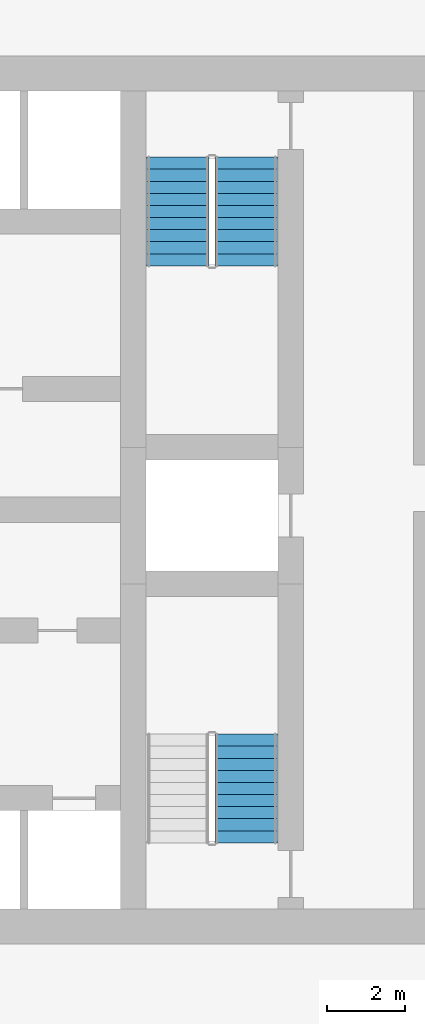
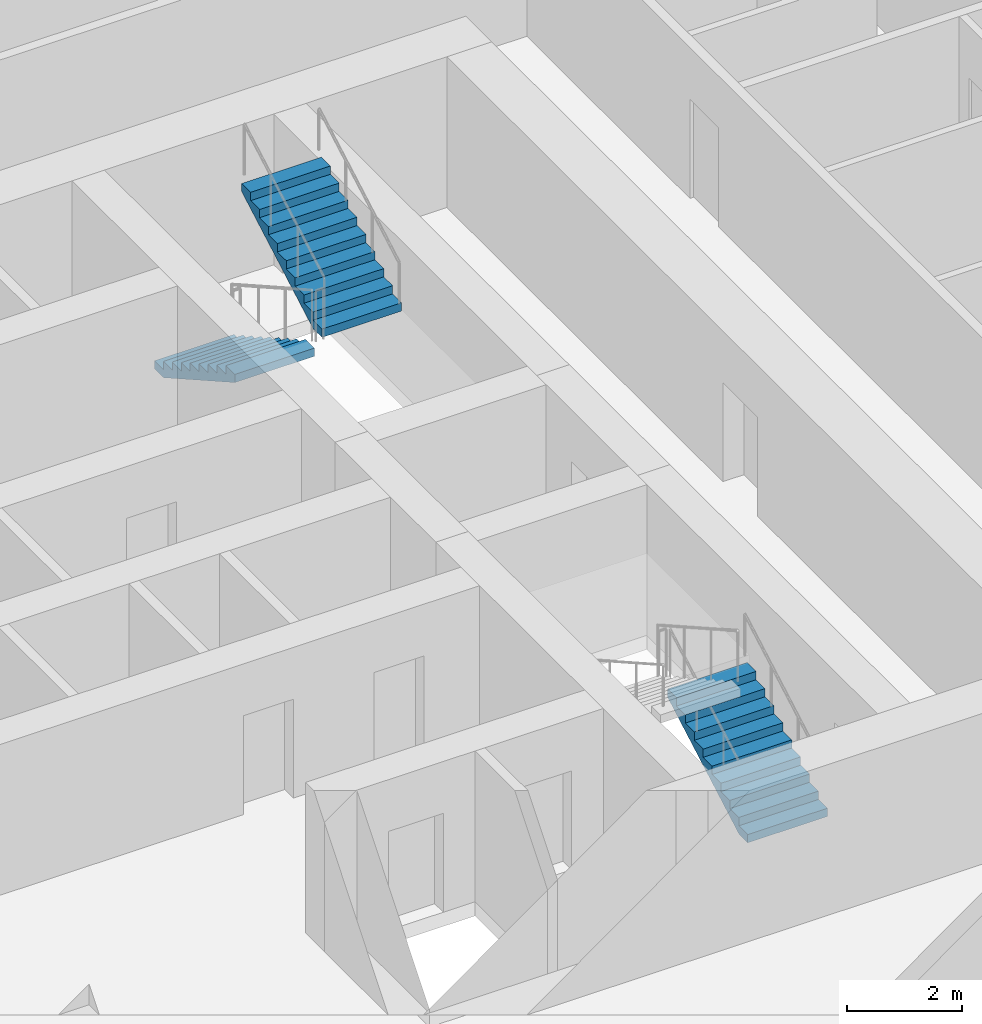
# One storey, part 16 of 22: 3 stair flights, 2 elements without a shape of their own.
"""IFC4 building model written with IfcOpenShell, lengths in metres."""

from ifc_helpers import new_model, si_unit, direction, frame, origin, place, context, subcontext, project, spatial, polyline, outline, extrude, material, type_object, element, aggregate, save


model = new_model("IFC4")

# Units and contexts
model_context = context("Model", 3, precision=1e-05, world=origin(), true_north=direction((0.0, 1.0)))
body_context = subcontext(model_context, "Body", "Model", "MODEL_VIEW")
ifc_project = project(units=[si_unit("LENGTHUNIT", "METRE"), si_unit("AREAUNIT", "SQUARE_METRE"), si_unit("VOLUMEUNIT", "CUBIC_METRE"), si_unit("PLANEANGLEUNIT", "RADIAN"), si_unit("MASSUNIT", "GRAM", prefix="KILO")], contexts=[model_context])

# Site, building, storey
site_placement = place(None, origin())
site = spatial("IfcSite", under=ifc_project, at=site_placement, CompositionType="ELEMENT")
building_placement = place(site_placement, origin())
building = spatial("IfcBuilding", under=site, at=building_placement, Name="Madar Terraces", CompositionType="ELEMENT")
storey_placement = place(building_placement, frame((0.0, 0.0, 76.800048828125)))
storey = spatial("IfcBuildingStorey", under=building, at=storey_placement, Name="L19", CompositionType="ELEMENT", Elevation=76.800048828125)

# Stair, stair flights
ifc_material_1 = material(Name="Concrete C50/60", Category="concrete")
stair_type_1 = type_object("IfcStairType", Name="Stair ST2 protected exit", PredefinedType="HALF_TURN_STAIR", material=ifc_material_1)
stair_1_placement = place(storey_placement, origin())
stair_1 = element("IfcStair", 1, at=stair_1_placement, inside=storey, type_object=stair_type_1, Name="L19 Protected Exit Stair ST2", PredefinedType="HALF_TURN_STAIR")
ifc_material_2 = material(Name="Concrete C50/60", Category="concrete")
stair_flight_type_1 = type_object("IfcStairFlightType", Name="Stair flight ST2-F4, 1600 wide, 10 risers", PredefinedType="STRAIGHT", material=ifc_material_2)
stair_flight_1_placement = place(storey_placement, frame((40.449951171875, 35.199951171875, 0.0), z_axis=(0.0, 0.0, 1.0), x_axis=(0.0, -1.0, 0.0)))
stair_flight_1 = element("IfcStairFlight", 2, at=stair_flight_1_placement, type_object=stair_flight_type_1, Name="ST2 flight 1", NumberOfRisers=10, NumberOfTreads=9, PredefinedType="STRAIGHT", RiserHeight=0.175, TreadLength=0.31, context=body_context, shape_type="SweptSolid", body=[
    extrude(outline(polyline([(0.0, 0.0), (0.0, 0.175048828125), (0.31005859375, 0.175048828125), (0.31005859375, 0.35009765625), (0.6201171875, 0.35009765625), (0.6201171875, 0.52490234375), (0.929931640625, 0.52490234375), (0.929931640625, 0.699951171875), (1.239990234375, 0.699951171875), (1.239990234375, 0.875), (1.550048828125, 0.875), (1.550048828125, 1.050048828125), (1.860107421875, 1.050048828125), (1.860107421875, 1.22509765625), (2.169921875, 1.22509765625), (2.169921875, 1.39990234375), (2.47998046875, 1.39990234375), (2.47998046875, 1.574951171875), (2.7900390625, 1.574951171875), (2.7900390625, 1.75), (2.7900390625, 1.40283203125), (0.304931640625, 0.0), (0.0, 0.0)])), frame((0.0, 0.800048828125, 0.0), z_axis=(0.0, -1.0, 0.0), x_axis=(1.0, 0.0, 0.0)), (0.0, 0.0, 1.0), 1.60009765625),
])
stair_flight_2_placement = place(storey_placement, frame((42.199951171875, 32.409912109375, 1.75), z_axis=(0.0, 0.0, 1.0), x_axis=(0.0, 1.0, 0.0)))
stair_flight_2 = element("IfcStairFlight", 3, at=stair_flight_2_placement, type_object=stair_flight_type_1, Name="ST2 flight 2", NumberOfRisers=10, NumberOfTreads=9, PredefinedType="STRAIGHT", RiserHeight=0.175, TreadLength=0.31, context=body_context, shape_type="SweptSolid", body=[
    extrude(outline(polyline([(0.0, 0.0), (0.0, 0.175048828125), (0.31005859375, 0.175048828125), (0.31005859375, 0.35009765625), (0.6201171875, 0.35009765625), (0.6201171875, 0.52490234375), (0.929931640625, 0.52490234375), (0.929931640625, 0.699951171875), (1.239990234375, 0.699951171875), (1.239990234375, 0.875), (1.550048828125, 0.875), (1.550048828125, 1.050048828125), (1.860107421875, 1.050048828125), (1.860107421875, 1.22509765625), (2.169921875, 1.22509765625), (2.169921875, 1.39990234375), (2.47998046875, 1.39990234375), (2.47998046875, 1.574951171875), (2.7900390625, 1.574951171875), (2.7900390625, 1.75), (2.7900390625, 1.40283203125), (0.304931640625, 0.0), (0.0, 0.0)])), frame((0.0, 0.800048828125, 0.0), z_axis=(0.0, -1.0, 0.0), x_axis=(1.0, 0.0, 0.0)), (0.0, 0.0, 1.0), 1.60009765625),
])
aggregate(stair_1, [stair_flight_1, stair_flight_2])

# Stair, stair flight
ifc_material_3 = material(Name="Concrete C50/60", Category="concrete")
stair_type_2 = type_object("IfcStairType", Name="Stair ST3 protected exit", PredefinedType="HALF_TURN_STAIR", material=ifc_material_3)
stair_2_placement = place(storey_placement, origin())
stair_2 = element("IfcStair", 4, at=stair_2_placement, inside=storey, type_object=stair_type_2, Name="L19 Protected Exit Stair ST3", PredefinedType="HALF_TURN_STAIR")
ifc_material_4 = material(Name="Concrete C50/60", Category="concrete")
stair_flight_type_2 = type_object("IfcStairFlightType", Name="Stair flight ST3-F4, 1600 wide, 10 risers", PredefinedType="STRAIGHT", material=ifc_material_4)
stair_flight_3_placement = place(storey_placement, frame((42.199951171875, 17.60009765625, 0.0), z_axis=(0.0, 0.0, 1.0), x_axis=(0.0, 1.0, 0.0)))
stair_flight_3 = element("IfcStairFlight", 5, at=stair_flight_3_placement, type_object=stair_flight_type_2, Name="ST3 flight 1", NumberOfRisers=10, NumberOfTreads=9, PredefinedType="STRAIGHT", RiserHeight=0.175, TreadLength=0.31, context=body_context, shape_type="SweptSolid", body=[
    extrude(outline(polyline([(0.0, 0.0), (0.0, 0.175048828125), (0.31005859375, 0.175048828125), (0.31005859375, 0.35009765625), (0.6201171875, 0.35009765625), (0.6201171875, 0.52490234375), (0.929931640625, 0.52490234375), (0.929931640625, 0.699951171875), (1.239990234375, 0.699951171875), (1.239990234375, 0.875), (1.550048828125, 0.875), (1.550048828125, 1.050048828125), (1.860107421875, 1.050048828125), (1.860107421875, 1.22509765625), (2.169921875, 1.22509765625), (2.169921875, 1.39990234375), (2.47998046875, 1.39990234375), (2.47998046875, 1.574951171875), (2.7900390625, 1.574951171875), (2.7900390625, 1.75), (2.7900390625, 1.40283203125), (0.304931640625, 0.0), (0.0, 0.0)])), frame((0.0, 0.800048828125, 0.0), z_axis=(0.0, -1.0, 0.0), x_axis=(1.0, 0.0, 0.0)), (0.0, 0.0, 1.0), 1.60009765625),
])
aggregate(stair_2, [stair_flight_3])

save(model, "model.ifc")
